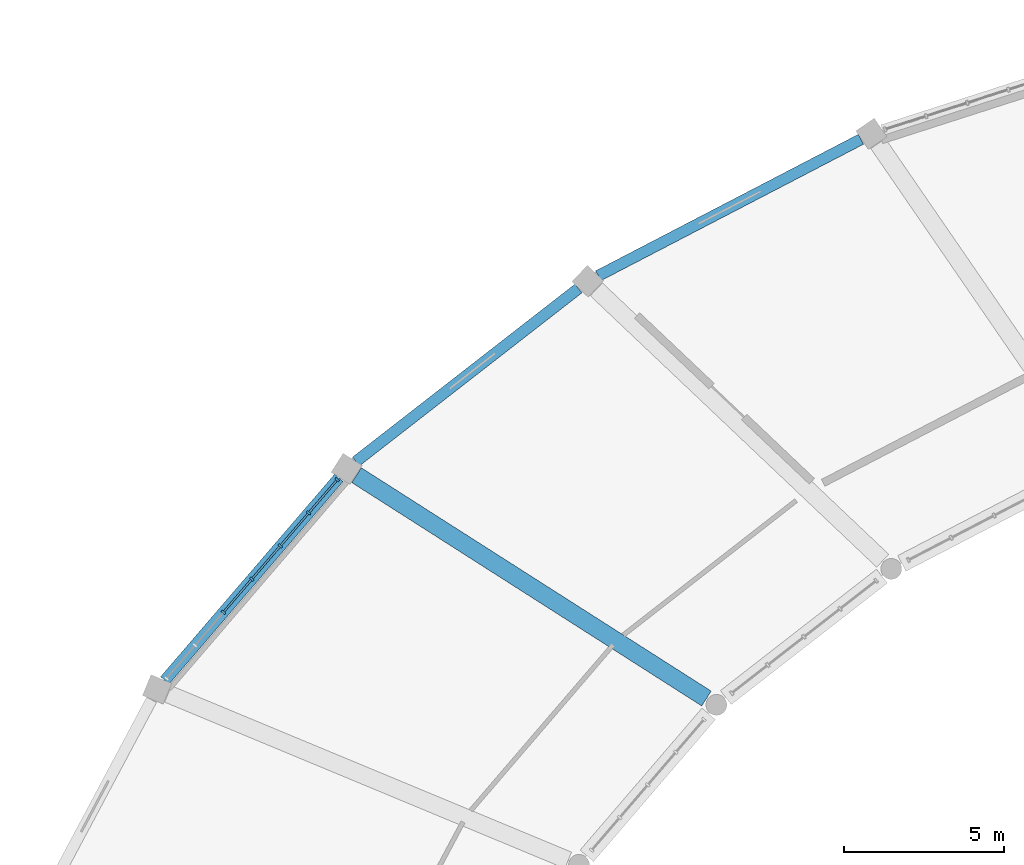
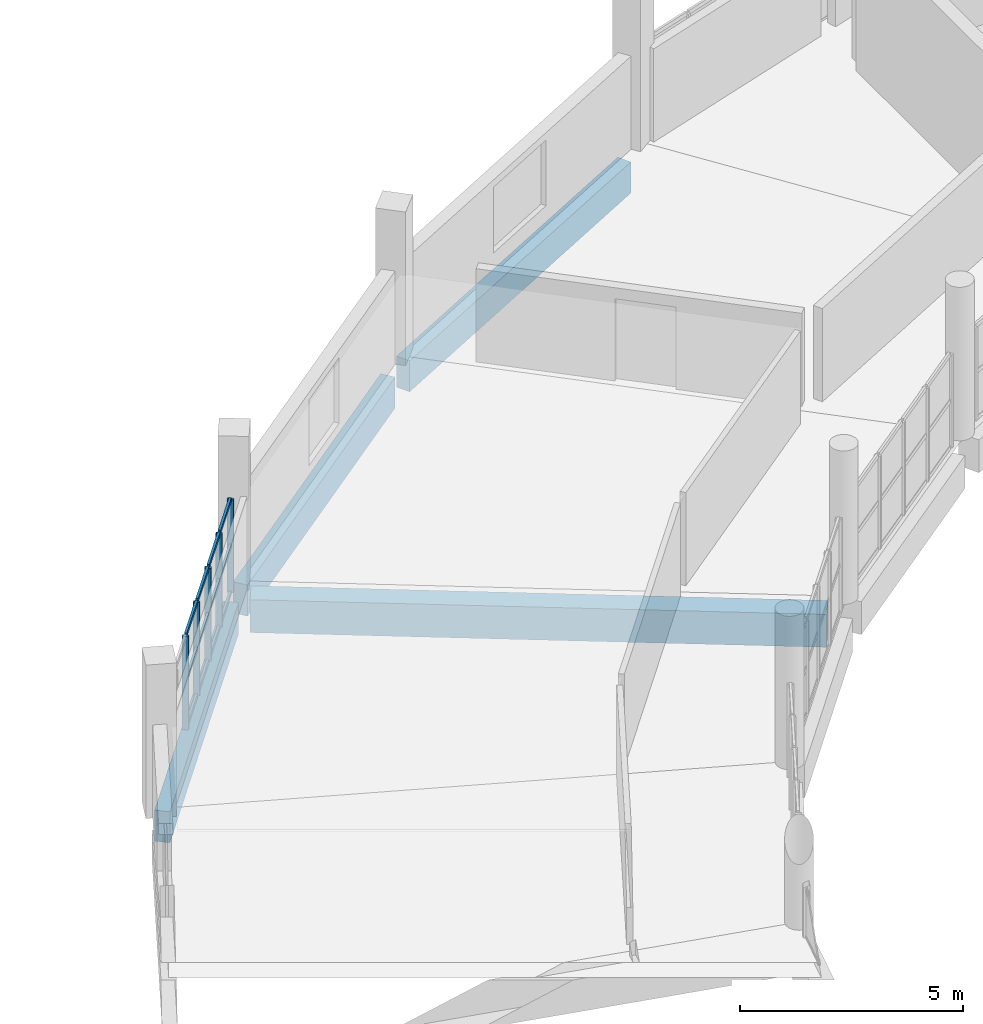
# One storey, part 23 of 142: 17 members, 4 beams, 1 element without a shape of its own.
"""IFC4 building model written with IfcOpenShell, lengths in metres."""

from ifc_helpers import new_model, si_unit, direction, frame, origin, origin_2d, place, context, subcontext, project, spatial, rectangle, extrude, material, layer, layer_set, material_profile, profile_set, type_object, element, aggregate, save


model = new_model("IFC4")

# Units and contexts
model_context = context("Model", 3, precision=1e-05, world=origin(), true_north=direction((0.0, 1.0)))
body_context = subcontext(model_context, "Body", "Model", "MODEL_VIEW")
ifc_project = project(units=[si_unit("LENGTHUNIT", "METRE"), si_unit("AREAUNIT", "SQUARE_METRE"), si_unit("VOLUMEUNIT", "CUBIC_METRE"), si_unit("PLANEANGLEUNIT", "RADIAN"), si_unit("MASSUNIT", "GRAM", prefix="KILO")], contexts=[model_context])

# Site, building, storey
site_placement = place(None, origin())
site = spatial("IfcSite", under=ifc_project, at=site_placement, CompositionType="ELEMENT")
building_placement = place(site_placement, origin())
building = spatial("IfcBuilding", under=site, at=building_placement, Name="Corvandel Quay Wholesale Market", CompositionType="ELEMENT")
storey_placement = place(building_placement, frame((0.0, 0.0, 10.800048828125)))
storey = spatial("IfcBuildingStorey", under=building, at=storey_placement, Name="L02", CompositionType="ELEMENT", Elevation=10.800048828125)

# Curtain wall, members
ifc_material_1 = material(Name="Bronze anodised aluminium and low-E insulated glazing", Category="aluminium")
ifc_layer = layer(ifc_material_1, 0.162109375)
ifc_layer_set = layer_set([ifc_layer], Name="Bronze anodised aluminium and low-E insulated glazing")
curtain_wall_type = type_object("IfcCurtainWallType", Name="Stick Curtain Wall System CW21 H4890", PredefinedType="NOTDEFINED", material=ifc_layer_set)
curtain_wall_placement = place(storey_placement, origin())
curtain_wall = element("IfcCurtainWall", 1, at=curtain_wall_placement, inside=storey, type_object=curtain_wall_type, Name="Curtain Wall CW-0037", PredefinedType="NOTDEFINED")
ifc_material_2 = material(Name="Anodised aluminium 6063-T6", Category="aluminium")
ifc_material_profile_1 = material_profile(ifc_material_2, rectangle(XDim=0.06494140625, YDim=0.14990234375, at=origin_2d()), Name="ALU-MUL-65x150")
ifc_profile_set_1 = profile_set([ifc_material_profile_1], Name="Anodised aluminium 6063-T6")
member_type_1 = type_object("IfcMemberType", Name="Curtain Wall Mullion ML02 65x150", PredefinedType="MULLION", material=ifc_profile_set_1)
member_1_placement = place(storey_placement, frame((71.76171875, 68.431640625, 0.0), z_axis=(0.0, 0.0, 1.0), x_axis=(0.651568967347, 0.758589401976, 0.0)))
member_1 = element("IfcMember", 2, at=member_1_placement, type_object=member_type_1, Name="Mullion CW-0037-M00", PredefinedType="MULLION", context=body_context, shape_type="SweptSolid", body=[
    extrude(rectangle(XDim=0.06494140625, YDim=0.14990234375, at=origin_2d()), origin(), (0.0, 0.0, 1.0), 2.550048828125),
])
member_2_placement = place(storey_placement, frame((70.874755859375, 67.39892578125, 0.0), z_axis=(0.0, 0.0, 1.0), x_axis=(0.651568967347, 0.758589401976, 0.0)))
member_2 = element("IfcMember", 3, at=member_2_placement, type_object=member_type_1, Name="Mullion CW-0037-M01", PredefinedType="MULLION", context=body_context, shape_type="SweptSolid", body=[
    extrude(rectangle(XDim=0.06494140625, YDim=0.14990234375, at=origin_2d()), origin(), (0.0, 0.0, 1.0), 2.550048828125),
])
member_3_placement = place(storey_placement, frame((69.987548828125, 66.3662109375, 0.0), z_axis=(0.0, 0.0, 1.0), x_axis=(0.651568967347, 0.758589401976, 0.0)))
member_3 = element("IfcMember", 4, at=member_3_placement, type_object=member_type_1, Name="Mullion CW-0037-M02", PredefinedType="MULLION", context=body_context, shape_type="SweptSolid", body=[
    extrude(rectangle(XDim=0.06494140625, YDim=0.14990234375, at=origin_2d()), origin(), (0.0, 0.0, 1.0), 2.550048828125),
])
member_4_placement = place(storey_placement, frame((69.1005859375, 65.33349609375, 0.0), z_axis=(0.0, 0.0, 1.0), x_axis=(0.651568967347, 0.758589401976, 0.0)))
member_4 = element("IfcMember", 5, at=member_4_placement, type_object=member_type_1, Name="Mullion CW-0037-M03", PredefinedType="MULLION", context=body_context, shape_type="SweptSolid", body=[
    extrude(rectangle(XDim=0.06494140625, YDim=0.14990234375, at=origin_2d()), origin(), (0.0, 0.0, 1.0), 2.550048828125),
])
member_5_placement = place(storey_placement, frame((68.21337890625, 64.30078125, 0.0), z_axis=(0.0, 0.0, 1.0), x_axis=(0.651568967347, 0.758589401976, 0.0)))
member_5 = element("IfcMember", 6, at=member_5_placement, type_object=member_type_1, Name="Mullion CW-0037-M04", PredefinedType="MULLION", context=body_context, shape_type="SweptSolid", body=[
    extrude(rectangle(XDim=0.06494140625, YDim=0.14990234375, at=origin_2d()), origin(), (0.0, 0.0, 1.0), 2.550048828125),
])
ifc_material_profile_2 = material_profile(ifc_material_2, rectangle(XDim=0.06005859375, YDim=0.110107421875, at=origin_2d()), Name="ALU-TRN-60x110")
ifc_profile_set_2 = profile_set([ifc_material_profile_2], Name="Anodised aluminium 6063-T6")
member_type_2 = type_object("IfcMemberType", Name="Curtain Wall Transom TR02 60x110", PredefinedType="USERDEFINED", material=ifc_profile_set_2)
member_6_placement = place(storey_placement, frame((71.740478515625, 68.406982421875, 0.0), z_axis=(-0.651489086867, -0.758658005753, 0.0), x_axis=(0.758658005753, -0.651489086867, 0.0)))
member_6 = element("IfcMember", 7, at=member_6_placement, type_object=member_type_2, Name="Transom CW-0037-T00-0", ObjectType="TRANSOM", PredefinedType="USERDEFINED", context=body_context, shape_type="SweptSolid", body=[
    extrude(rectangle(XDim=0.06005859375, YDim=0.110107421875, at=origin_2d()), origin(), (0.0, 0.0, 1.0), 1.296142578125),
])
member_7_placement = place(storey_placement, frame((71.740478515625, 68.406982421875, 1.27490234375), z_axis=(-0.651489086867, -0.758658005753, 0.0), x_axis=(0.758658005753, -0.651489086867, 0.0)))
member_7 = element("IfcMember", 8, at=member_7_placement, type_object=member_type_2, Name="Transom CW-0037-T00-1", ObjectType="TRANSOM", PredefinedType="USERDEFINED", context=body_context, shape_type="SweptSolid", body=[
    extrude(rectangle(XDim=0.06005859375, YDim=0.110107421875, at=origin_2d()), origin(), (0.0, 0.0, 1.0), 1.296142578125),
])
member_8_placement = place(storey_placement, frame((71.740478515625, 68.406982421875, 2.550048828125), z_axis=(-0.651489086867, -0.758658005753, 0.0), x_axis=(0.758658005753, -0.651489086867, 0.0)))
member_8 = element("IfcMember", 9, at=member_8_placement, type_object=member_type_2, Name="Transom CW-0037-T00-2", ObjectType="TRANSOM", PredefinedType="USERDEFINED", context=body_context, shape_type="SweptSolid", body=[
    extrude(rectangle(XDim=0.06005859375, YDim=0.110107421875, at=origin_2d()), origin(), (0.0, 0.0, 1.0), 1.296142578125),
])
member_9_placement = place(storey_placement, frame((70.853515625, 67.374267578125, 0.0), z_axis=(-0.651597471756, -0.758564917987, 0.0), x_axis=(0.758564917987, -0.651597471756, 0.0)))
member_9 = element("IfcMember", 10, at=member_9_placement, type_object=member_type_2, Name="Transom CW-0037-T01-0", ObjectType="TRANSOM", PredefinedType="USERDEFINED", context=body_context, shape_type="SweptSolid", body=[
    extrude(rectangle(XDim=0.06005859375, YDim=0.110107421875, at=origin_2d()), origin(), (0.0, 0.0, 1.0), 1.29638671875),
])
member_10_placement = place(storey_placement, frame((70.853515625, 67.374267578125, 1.27490234375), z_axis=(-0.651597471756, -0.758564917987, 0.0), x_axis=(0.758564917987, -0.651597471756, 0.0)))
member_10 = element("IfcMember", 11, at=member_10_placement, type_object=member_type_2, Name="Transom CW-0037-T01-1", ObjectType="TRANSOM", PredefinedType="USERDEFINED", context=body_context, shape_type="SweptSolid", body=[
    extrude(rectangle(XDim=0.06005859375, YDim=0.110107421875, at=origin_2d()), origin(), (0.0, 0.0, 1.0), 1.29638671875),
])
member_11_placement = place(storey_placement, frame((70.853515625, 67.374267578125, 2.550048828125), z_axis=(-0.651597471756, -0.758564917987, 0.0), x_axis=(0.758564917987, -0.651597471756, 0.0)))
member_11 = element("IfcMember", 12, at=member_11_placement, type_object=member_type_2, Name="Transom CW-0037-T01-2", ObjectType="TRANSOM", PredefinedType="USERDEFINED", context=body_context, shape_type="SweptSolid", body=[
    extrude(rectangle(XDim=0.06005859375, YDim=0.110107421875, at=origin_2d()), origin(), (0.0, 0.0, 1.0), 1.29638671875),
])
member_12_placement = place(storey_placement, frame((69.96630859375, 66.341552734375, 0.0), z_axis=(-0.651597471756, -0.758564917987, 0.0), x_axis=(0.758564917987, -0.651597471756, 0.0)))
member_12 = element("IfcMember", 13, at=member_12_placement, type_object=member_type_2, Name="Transom CW-0037-T02-0", ObjectType="TRANSOM", PredefinedType="USERDEFINED", context=body_context, shape_type="SweptSolid", body=[
    extrude(rectangle(XDim=0.06005859375, YDim=0.110107421875, at=origin_2d()), origin(), (0.0, 0.0, 1.0), 1.29638671875),
])
member_13_placement = place(storey_placement, frame((69.96630859375, 66.341552734375, 1.27490234375), z_axis=(-0.651597471756, -0.758564917987, 0.0), x_axis=(0.758564917987, -0.651597471756, 0.0)))
member_13 = element("IfcMember", 14, at=member_13_placement, type_object=member_type_2, Name="Transom CW-0037-T02-1", ObjectType="TRANSOM", PredefinedType="USERDEFINED", context=body_context, shape_type="SweptSolid", body=[
    extrude(rectangle(XDim=0.06005859375, YDim=0.110107421875, at=origin_2d()), origin(), (0.0, 0.0, 1.0), 1.29638671875),
])
member_14_placement = place(storey_placement, frame((69.96630859375, 66.341552734375, 2.550048828125), z_axis=(-0.651597471756, -0.758564917987, 0.0), x_axis=(0.758564917987, -0.651597471756, 0.0)))
member_14 = element("IfcMember", 15, at=member_14_placement, type_object=member_type_2, Name="Transom CW-0037-T02-2", ObjectType="TRANSOM", PredefinedType="USERDEFINED", context=body_context, shape_type="SweptSolid", body=[
    extrude(rectangle(XDim=0.06005859375, YDim=0.110107421875, at=origin_2d()), origin(), (0.0, 0.0, 1.0), 1.29638671875),
])
member_15_placement = place(storey_placement, frame((69.079345703125, 65.308837890625, 0.0), z_axis=(-0.651597471756, -0.758564917987, 0.0), x_axis=(0.758564917987, -0.651597471756, 0.0)))
member_15 = element("IfcMember", 16, at=member_15_placement, type_object=member_type_2, Name="Transom CW-0037-T03-0", ObjectType="TRANSOM", PredefinedType="USERDEFINED", context=body_context, shape_type="SweptSolid", body=[
    extrude(rectangle(XDim=0.06005859375, YDim=0.110107421875, at=origin_2d()), origin(), (0.0, 0.0, 1.0), 1.29638671875),
])
member_16_placement = place(storey_placement, frame((69.079345703125, 65.308837890625, 1.27490234375), z_axis=(-0.651597471756, -0.758564917987, 0.0), x_axis=(0.758564917987, -0.651597471756, 0.0)))
member_16 = element("IfcMember", 17, at=member_16_placement, type_object=member_type_2, Name="Transom CW-0037-T03-1", ObjectType="TRANSOM", PredefinedType="USERDEFINED", context=body_context, shape_type="SweptSolid", body=[
    extrude(rectangle(XDim=0.06005859375, YDim=0.110107421875, at=origin_2d()), origin(), (0.0, 0.0, 1.0), 1.29638671875),
])
member_17_placement = place(storey_placement, frame((69.079345703125, 65.308837890625, 2.550048828125), z_axis=(-0.651597471756, -0.758564917987, 0.0), x_axis=(0.758564917987, -0.651597471756, 0.0)))
member_17 = element("IfcMember", 18, at=member_17_placement, type_object=member_type_2, Name="Transom CW-0037-T03-2", ObjectType="TRANSOM", PredefinedType="USERDEFINED", context=body_context, shape_type="SweptSolid", body=[
    extrude(rectangle(XDim=0.06005859375, YDim=0.110107421875, at=origin_2d()), origin(), (0.0, 0.0, 1.0), 1.29638671875),
])
aggregate(curtain_wall, [member_1, member_2, member_3, member_4, member_5, member_6, member_7, member_8, member_9, member_10, member_11, member_12, member_13, member_14, member_15, member_16, member_17])

# Beams
ifc_material_3 = material(Name="Precast concrete C45/55", Category="concrete")
ifc_material_profile_3 = material_profile(ifc_material_3, rectangle(XDim=0.35009765625, YDim=0.85009765625, at=origin_2d()), Name="PC-SPN-350x850")
ifc_profile_set_3 = profile_set([ifc_material_profile_3], Name="Precast concrete C45/55")
beam_type_1 = type_object("IfcBeamType", Name="Perimeter Precast Spandrel SP01 350x850", PredefinedType="SPANDREL", material=ifc_profile_set_3)
beam_1_placement = place(storey_placement, frame((88.0927734375, 79.04931640625, -0.7451171875), z_axis=(-0.887343699642, -0.461108619205, 0.0), x_axis=(0.461108619205, -0.887343699642, 0.0)))
element("IfcBeam", 19, at=beam_1_placement, inside=storey, type_object=beam_type_1, Name="Beam BM-0133", PredefinedType="SPANDREL", context=body_context, shape_type="SweptSolid", body=[
    extrude(rectangle(XDim=0.35009765625, YDim=0.85009765625, at=origin_2d()), origin(), (0.0, 0.0, 1.0), 9.22705078125),
])
beam_2_placement = place(storey_placement, frame((79.284912109375, 74.396728515625, -0.7451171875), z_axis=(-0.789337260855, -0.613959842844, 0.0), x_axis=(0.613959842844, -0.789337260855, 0.0)))
element("IfcBeam", 20, at=beam_2_placement, inside=storey, type_object=beam_type_1, Name="Beam BM-0146", PredefinedType="SPANDREL", context=body_context, shape_type="SweptSolid", body=[
    extrude(rectangle(XDim=0.35009765625, YDim=0.85009765625, at=origin_2d()), origin(), (0.0, 0.0, 1.0), 8.78955078125),
])
beam_3_placement = place(storey_placement, frame((71.81396484375, 68.4921875, -0.7451171875), z_axis=(-0.651611810623, -0.75855260085, 0.0), x_axis=(0.75855260085, -0.651611810623, 0.0)))
element("IfcBeam", 21, at=beam_3_placement, inside=storey, type_object=beam_type_1, Name="Beam BM-0159", PredefinedType="SPANDREL", context=body_context, shape_type="SweptSolid", body=[
    extrude(rectangle(XDim=0.35009765625, YDim=0.85009765625, at=origin_2d()), origin(), (0.0, 0.0, 1.0), 8.328125),
])
ifc_material_profile_4 = material_profile(ifc_material_3, rectangle(XDim=0.550048828125, YDim=0.89990234375, at=origin_2d()), Name="PC-GIR-550x900")
ifc_profile_set_4 = profile_set([ifc_material_profile_4], Name="Precast concrete C45/55")
beam_type_2 = type_object("IfcBeamType", Name="Produce Hall Radial Girder G03 550x900", PredefinedType="USERDEFINED", material=ifc_profile_set_4)
beam_4_placement = place(storey_placement, frame((72.366943359375, 68.573974609375, -0.77001953125), z_axis=(0.842946232695, -0.537997814852, 0.0), x_axis=(0.537997814852, 0.842946232695, 0.0)))
element("IfcBeam", 22, at=beam_4_placement, inside=storey, type_object=beam_type_2, Name="Beam BM-0162", ObjectType="GIRDER", PredefinedType="USERDEFINED", context=body_context, shape_type="SweptSolid", body=[
    extrude(rectangle(XDim=0.550048828125, YDim=0.89990234375, at=origin_2d()), origin(), (0.0, 0.0, 1.0), 12.944091796875),
])

save(model, "model.ifc")
